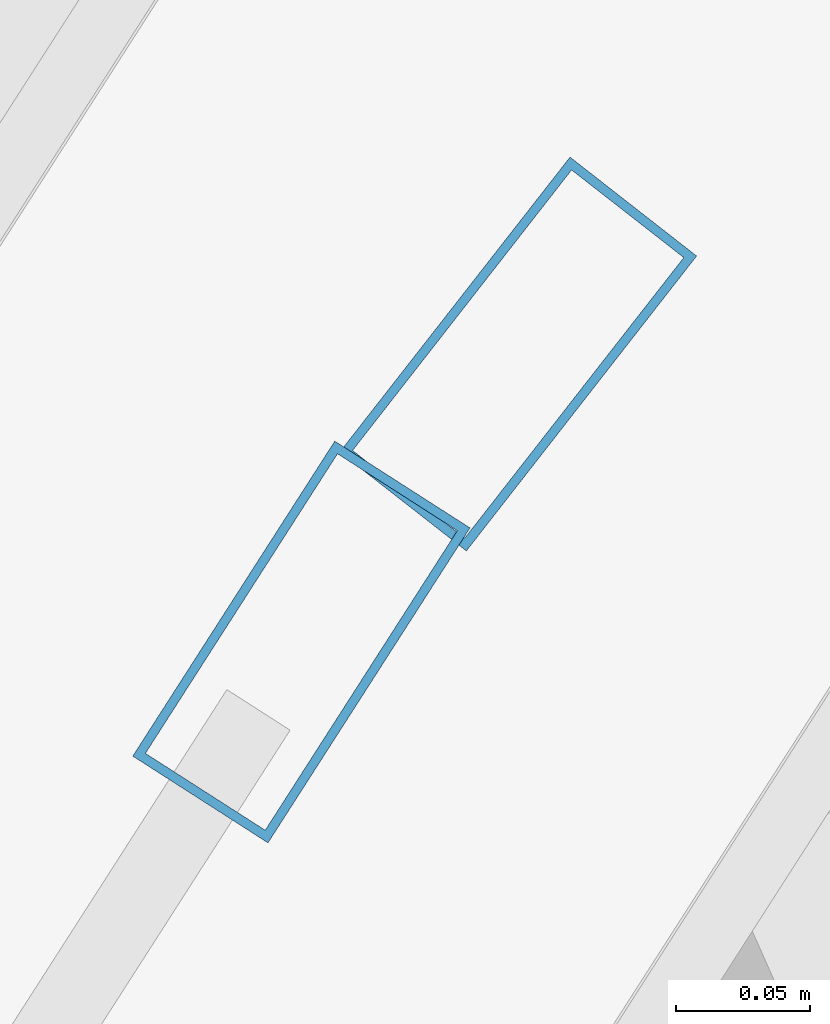
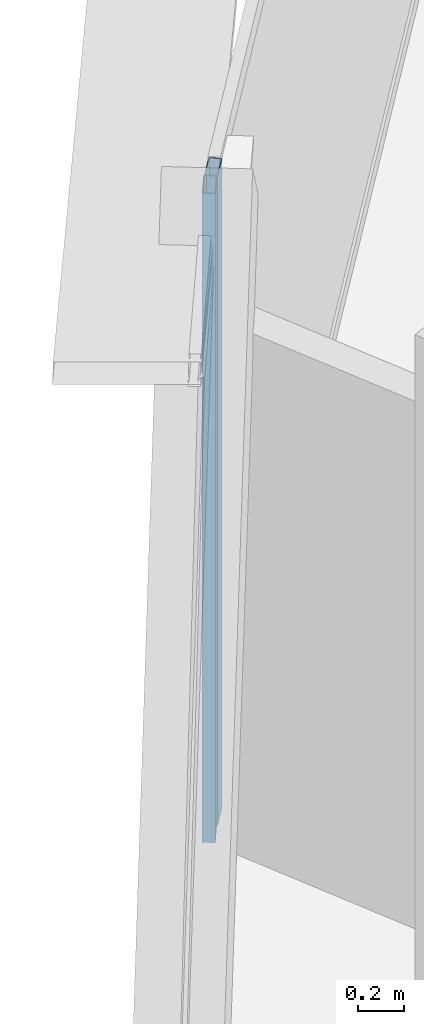
# One storey, part 19 of 37: 2 members, 2 elements without a shape of their own.
"""IFC4 building model written with IfcOpenShell, lengths in metres."""

import ifcopenshell
import ifcopenshell.guid

model = None  # the IFC model being written
_history = None  # IfcOwnerHistory: only IFC2X3 demands one
_inside = {}  # id of a spatial element -> (the spatial element, [elements in it])
_under = {}  # id of a project, library or spatial element -> (it, [spatial elements below it])
_declared = {}  # id of a project -> (the project, [libraries it declares])
_typed = {}  # id of a type object -> (the type object, [elements of that type])
_made_of = {}  # id of a material, layer set ... -> (it, [elements and type objects made of it])


def new_model(schema):
    """Start an empty IFC model of exactly this schema.

    Asked for "IFC4X3", IfcOpenShell would pick the latest addendum, in which some entities
    have other attributes; the version numbers below select the first issue.
    IFC2X3 requires an IfcOwnerHistory on every rooted entity: one is made here for all.
    """
    global model, _history
    if schema == "IFC4X3":
        model = ifcopenshell.file(schema_version=(4, 3, 0, 0))
    else:
        model = ifcopenshell.file(schema=schema)
    _inside.clear()
    _under.clear()
    _declared.clear()
    _typed.clear()
    _made_of.clear()
    _history = None
    if model.schema == "IFC2X3":
        org = make("IfcOrganization", Name="unknown")
        user = make(
            "IfcPersonAndOrganization",
            ThePerson=make("IfcPerson", FamilyName="unknown"),
            TheOrganization=org,
        )
        app = make(
            "IfcApplication",
            ApplicationDeveloper=org,
            Version="unknown",
            ApplicationFullName="unknown",
            ApplicationIdentifier="unknown",
        )
        _history = make(
            "IfcOwnerHistory",
            OwningUser=user,
            OwningApplication=app,
            ChangeAction="ADDED",
            CreationDate=0,
        )
    return model


def make(cls, **values):
    """One entity of the class cls with the attributes given. An attribute that is None is left unset."""
    return model.create_entity(
        cls, **{name: value for name, value in values.items() if value is not None}
    )


def rooted(cls, **values):
    """An entity with a GlobalId (a new one), such as an element, a storey or a relation."""
    return make(cls, GlobalId=ifcopenshell.guid.new(), OwnerHistory=_history, **values)


def si_unit(unit_type, name, prefix=None):
    """IfcSIUnit, for example si_unit("LENGTHUNIT", "METRE", prefix="MILLI")."""
    return make("IfcSIUnit", UnitType=unit_type, Prefix=prefix, Name=name)


def assignment(units):
    """IfcUnitAssignment: the units of a project."""
    return None if units is None else make("IfcUnitAssignment", Units=units)


def point(xyz):
    """IfcCartesianPoint."""
    return None if xyz is None else make("IfcCartesianPoint", Coordinates=xyz)


def direction(xyz):
    """IfcDirection."""
    return None if xyz is None else make("IfcDirection", DirectionRatios=xyz)


def frame(location, z_axis=None, x_axis=None):
    """IfcAxis2Placement3D, a coordinate frame: its origin and axes. An axis left out is left unset."""
    return make(
        "IfcAxis2Placement3D",
        Location=point(location),
        Axis=direction(z_axis),
        RefDirection=direction(x_axis),
    )


def frame_2d(location, x_axis=None):
    """IfcAxis2Placement2D, a coordinate frame in the plane: its origin and x axis."""
    return make(
        "IfcAxis2Placement2D", Location=point(location), RefDirection=direction(x_axis)
    )


def origin():
    """The frame at (0, 0, 0) with its axes left unset."""
    return frame((0.0, 0.0, 0.0))


def origin_2d():
    """The frame at (0, 0) in the plane with its x axis left unset."""
    return frame_2d((0.0, 0.0))


def place(relative_to, where):
    """IfcLocalPlacement: puts the frame where relative to a parent placement (None: the world)."""
    return make(
        "IfcLocalPlacement", PlacementRelTo=relative_to, RelativePlacement=where
    )


def context(
    kind, dimensions, precision=None, world=None, true_north=None, identifier=None
):
    """IfcGeometricRepresentationContext, for example the 3D "Model" context."""
    return make(
        "IfcGeometricRepresentationContext",
        ContextIdentifier=identifier,
        ContextType=kind,
        CoordinateSpaceDimension=dimensions,
        Precision=precision,
        WorldCoordinateSystem=world,
        TrueNorth=true_north,
    )


def subcontext(parent, identifier, kind, view, scale=None):
    """IfcGeometricRepresentationSubContext, for example "Body" below "Model"."""
    return make(
        "IfcGeometricRepresentationSubContext",
        ContextIdentifier=identifier,
        ContextType=kind,
        ParentContext=parent,
        TargetScale=scale,
        TargetView=view,
    )


def project(units=None, contexts=None):
    """IfcProject with its units and contexts."""
    return rooted(
        "IfcProject",
        Name="project",
        RepresentationContexts=contexts,
        UnitsInContext=assignment(units),
    )


def spatial(cls, under=None, at=None, **own):
    """A site, building, storey or space (cls), placed at a placement, below another one or the project."""
    s = rooted(cls, ObjectPlacement=at, **own)
    if under is not None:
        _under.setdefault(under.id(), (under, []))[1].append(s)
    return s


def profile(cls, at=None, kind="AREA", **sizes):
    """A parametric profile (cls). Its sizes go by their IFC names, for example OverallWidth=200.0."""
    return make(cls, ProfileType=kind, Position=at, **sizes)


def hollow_rectangle(**sizes):
    """IfcRectangleHollowProfileDef."""
    return profile("IfcRectangleHollowProfileDef", **sizes)


def extrude(swept, where, along, depth):
    """IfcExtrudedAreaSolid: the profile swept, set in the frame where, extruded along a direction by depth."""
    return make(
        "IfcExtrudedAreaSolid",
        SweptArea=swept,
        Position=where,
        ExtrudedDirection=direction(along),
        Depth=depth,
    )


def shape(context_of_items, identifier, shape_type, items):
    """IfcShapeRepresentation: the items that make up one representation, for example the "Body"."""
    return make(
        "IfcShapeRepresentation",
        ContextOfItems=context_of_items,
        RepresentationIdentifier=identifier,
        RepresentationType=shape_type,
        Items=items,
    )


def source(mapping_origin, context_of_items, identifier, shape_type, items):
    """IfcRepresentationMap: a shape defined once, which mapped items show again and again."""
    return make(
        "IfcRepresentationMap",
        MappingOrigin=mapping_origin,
        MappedRepresentation=shape(context_of_items, identifier, shape_type, items),
    )


def transform(
    local_origin,
    x_axis=None,
    y_axis=None,
    z_axis=None,
    scale=None,
    scale2=None,
    scale3=None,
    uniform=True,
):
    """IfcCartesianTransformationOperator3D, or its non-uniform kind. x_axis, y_axis, z_axis: its Axis1, 2, 3."""
    if uniform:
        return make(
            "IfcCartesianTransformationOperator3D",
            Axis1=direction(x_axis),
            Axis2=direction(y_axis),
            LocalOrigin=point(local_origin),
            Scale=scale,
            Axis3=direction(z_axis),
        )
    return make(
        "IfcCartesianTransformationOperator3DnonUniform",
        Axis1=direction(x_axis),
        Axis2=direction(y_axis),
        LocalOrigin=point(local_origin),
        Scale=scale,
        Axis3=direction(z_axis),
        Scale2=scale2,
        Scale3=scale3,
    )


def mapped(mapping_source, mapping_target):
    """IfcMappedItem: shows the shape of a source again, moved by a transform."""
    return make(
        "IfcMappedItem", MappingSource=mapping_source, MappingTarget=mapping_target
    )


def material(Name=None, Category=None):
    """IfcMaterial."""
    return make("IfcMaterial", Name=Name, Category=Category)


def layer(
    of_material, thickness, ventilated=None, Name=None, Category=None, Priority=None
):
    """IfcMaterialLayer: one layer of a wall or slab, of a material (None: an air gap)."""
    return make(
        "IfcMaterialLayer",
        Material=of_material,
        LayerThickness=thickness,
        IsVentilated=ventilated,
        Name=Name,
        Category=Category,
        Priority=Priority,
    )


def layer_set(layers, Name=None):
    """IfcMaterialLayerSet."""
    return make("IfcMaterialLayerSet", MaterialLayers=layers, LayerSetName=Name)


def material_profile(
    of_material, cross_section, Name=None, Category=None, Priority=None
):
    """IfcMaterialProfile: a cross section and its material."""
    return make(
        "IfcMaterialProfile",
        Name=Name,
        Material=of_material,
        Profile=cross_section,
        Priority=Priority,
        Category=Category,
    )


def profile_set(profiles, Name=None, composite=None):
    """IfcMaterialProfileSet."""
    return make(
        "IfcMaterialProfileSet",
        Name=Name,
        MaterialProfiles=profiles,
        CompositeProfile=composite,
    )


def made_of(thing, what):
    """Note that an element or type object is made of a material, layer set ...; save() writes the relation."""
    if what is not None:
        _made_of.setdefault(what.id(), (what, []))[1].append(thing)
    return thing


def type_object(cls, material=None, **own):
    """A type object (cls), such as IfcWallType, which elements share."""
    return made_of(rooted(cls, **own), material)


def element(
    cls,
    number,
    at=None,
    inside=None,
    cuts=None,
    type_object=None,
    material=None,
    context=None,
    identifier="Body",
    shape_type=None,
    held_by="IfcProductDefinitionShape",
    body=None,
    shapes=None,
    **own,
):
    """One element of the class cls, such as IfcWall. Its Tag is "e" and its number.

    at: its placement. inside: the storey or other place that contains it. cuts: it is an
    opening in that element (IfcRelVoidsElement). A single representation is given by context,
    identifier, shape_type and body (its items); several are given by shapes. held_by: the class
    of the entity that holds the representations. save() writes the other relations.
    """
    e = rooted(cls, Tag="e%d" % number, ObjectPlacement=at, **own)
    if body is not None:
        shapes = [shape(context, identifier, shape_type, body)]
    if shapes is not None:
        e.Representation = make(held_by, Representations=shapes)
    if inside is not None:
        _inside.setdefault(inside.id(), (inside, []))[1].append(e)
    if cuts is not None:
        rooted(
            "IfcRelVoidsElement", RelatingBuildingElement=cuts, RelatedOpeningElement=e
        )
    if type_object is not None:
        _typed.setdefault(type_object.id(), (type_object, []))[1].append(e)
    return made_of(e, material)


def aggregate(whole, parts):
    """IfcRelAggregates: a whole, such as a stair, and the parts it consists of."""
    return rooted("IfcRelAggregates", RelatingObject=whole, RelatedObjects=parts)


def save(model, path):
    """Write the relations noted so far, then the file.

    IfcRelAggregates (storeys below a building ...), IfcRelContainedInSpatialStructure (elements
    in a storey), IfcRelDefinesByType, IfcRelAssociatesMaterial and IfcRelDeclares: one each for
    every whole, place, type object, material and project.
    """
    for whole, parts in _under.values():
        aggregate(whole, parts)
    for where, things in _inside.values():
        rooted(
            "IfcRelContainedInSpatialStructure",
            RelatedElements=things,
            RelatingStructure=where,
        )
    for kind, things in _typed.values():
        rooted("IfcRelDefinesByType", RelatedObjects=things, RelatingType=kind)
    for what, things in _made_of.values():
        rooted("IfcRelAssociatesMaterial", RelatedObjects=things, RelatingMaterial=what)
    for by, libraries in _declared.values():
        rooted("IfcRelDeclares", RelatingContext=by, RelatedDefinitions=libraries)
    model.write(path)


model = new_model("IFC4")

# Units and contexts
model_context = context("Model", 3, precision=1e-05, world=origin(), true_north=direction((0.0, 1.0)))
body_context = subcontext(model_context, "Body", "Model", "MODEL_VIEW")
ifc_project = project(units=[si_unit("LENGTHUNIT", "METRE"), si_unit("AREAUNIT", "SQUARE_METRE"), si_unit("VOLUMEUNIT", "CUBIC_METRE"), si_unit("PLANEANGLEUNIT", "RADIAN"), si_unit("MASSUNIT", "GRAM", prefix="KILO"), si_unit("THERMODYNAMICTEMPERATUREUNIT", "KELVIN"), si_unit("POWERUNIT", "WATT")], contexts=[model_context])

# Site, building, storey
site_placement = place(None, origin())
site = spatial("IfcSite", under=ifc_project, at=site_placement, CompositionType="ELEMENT")
building_placement = place(site_placement, origin())
building = spatial("IfcBuilding", under=site, at=building_placement, Name="Yunzhuo Pagoda Commons", CompositionType="ELEMENT")
storey_placement = place(building_placement, frame((0.0, 0.0, 251.989990234375)))
storey = spatial("IfcBuildingStorey", under=building, at=storey_placement, Name="L63", CompositionType="ELEMENT", Elevation=251.989990234375)

# Curtain wall, member
ifc_material = material(Name="Anodized aluminium 6063-T6", Category="aluminium")
ifc_layer = layer(ifc_material, 0.139892578125)
ifc_layer_set = layer_set([ifc_layer], Name="Anodized aluminium 6063-T6")
curtain_wall_type = type_object("IfcCurtainWallType", Name="CW-HI High-Zone Ribbon Curtain Wall", PredefinedType="NOTDEFINED", material=ifc_layer_set)
curtain_wall_1_placement = place(storey_placement, origin())
curtain_wall_1 = element("IfcCurtainWall", 1, at=curtain_wall_1_placement, inside=storey, type_object=curtain_wall_type, Name="L63 curtain wall CW-L63-F3B2", PredefinedType="NOTDEFINED")
ifc_material_profile = material_profile(ifc_material, hollow_rectangle(XDim=0.06005859375, YDim=0.139892578125, WallThickness=0.00341796875, at=origin_2d()), Name="Anodized aluminium 6063-T6")
ifc_profile_set = profile_set([ifc_material_profile], Name="Anodized aluminium 6063-T6")
member_type = type_object("IfcMemberType", Name="CW-HI-M Mullion RHS 140x60x3.5", PredefinedType="MULLION", material=ifc_profile_set)
shared_shape = source(origin(), body_context, "Body", "SweptSolid", [
    extrude(hollow_rectangle(XDim=0.06005859375, YDim=0.139892578125, WallThickness=0.00341796875, at=origin_2d()), origin(), (0.0, 0.0, 1.0), 3.469970703125),
])
member_1_placement = place(storey_placement, frame((33.826904296875, 65.4716796875, 0.0), z_axis=(0.0, 0.0, 1.0), x_axis=(0.841750083847, -0.539867387738, 0.0)))
member_1 = element("IfcMember", 2, at=member_1_placement, type_object=member_type, Name="CW mullion 1", PredefinedType="MULLION", context=body_context, shape_type="MappedRepresentation", body=[
    mapped(shared_shape, transform((0.0, 0.0, 0.0), scale=1.0)),
])
aggregate(curtain_wall_1, [member_1])

curtain_wall_2_placement = place(storey_placement, origin())
curtain_wall_2 = element("IfcCurtainWall", 3, at=curtain_wall_2_placement, inside=storey, type_object=curtain_wall_type, Name="L63 curtain wall CW-L63-F3B1", PredefinedType="NOTDEFINED")
member_2_placement = place(storey_placement, frame((33.907958984375, 65.579345703125, 0.0), z_axis=(0.0, 0.0, 1.0), x_axis=(0.788189580024, -0.615432519405, 0.0)))
member_2 = element("IfcMember", 4, at=member_2_placement, type_object=member_type, Name="CW mullion 2", PredefinedType="MULLION", context=body_context, shape_type="MappedRepresentation", body=[
    mapped(shared_shape, transform((0.0, 0.0, 0.0), scale=1.0)),
])
aggregate(curtain_wall_2, [member_2])

save(model, "model.ifc")
